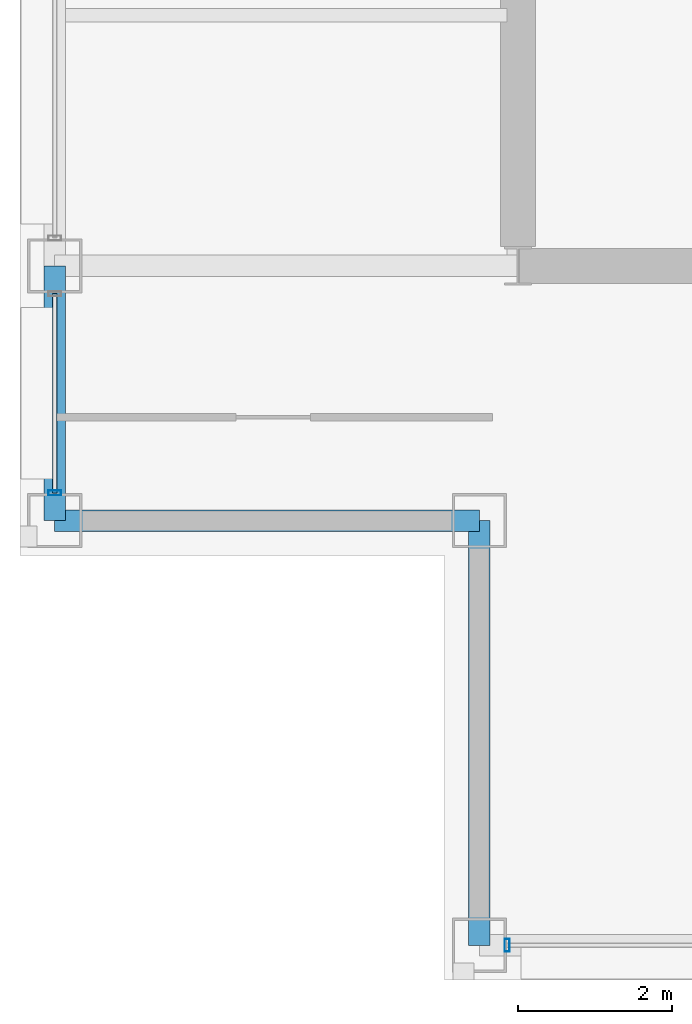
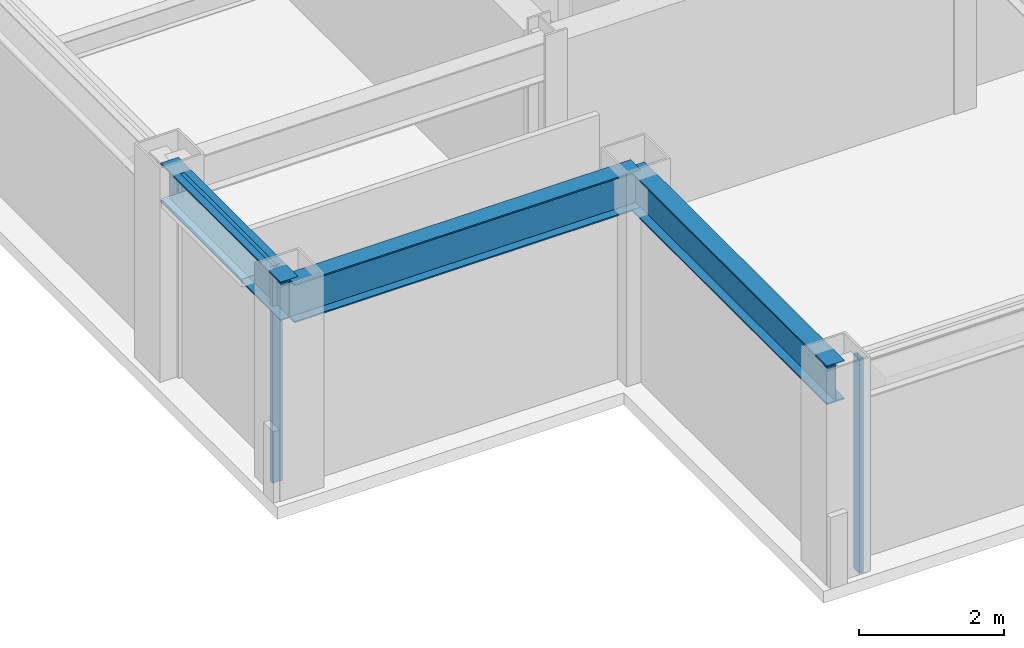
# One storey, part 2 of 29: 3 beams, 3 members, 2 elements without a shape of their own.
"""IFC4 building model written with IfcOpenShell, lengths in metres."""

from ifc_helpers import new_model, si_unit, direction, frame, origin, origin_2d, place, context, subcontext, project, spatial, hollow_rectangle, i_section, extrude, material, layer, layer_set, material_profile, profile_set, type_object, element, aggregate, save


model = new_model("IFC4")

# Units and contexts
model_context = context("Model", 3, precision=1e-05, world=origin(), true_north=direction((0.0, 1.0)))
body_context = subcontext(model_context, "Body", "Model", "MODEL_VIEW")
ifc_project = project(units=[si_unit("LENGTHUNIT", "METRE"), si_unit("AREAUNIT", "SQUARE_METRE"), si_unit("VOLUMEUNIT", "CUBIC_METRE"), si_unit("PLANEANGLEUNIT", "RADIAN"), si_unit("MASSUNIT", "GRAM", prefix="KILO")], contexts=[model_context])

# Site, building, storey
site_placement = place(None, origin())
site = spatial("IfcSite", under=ifc_project, at=site_placement, CompositionType="ELEMENT")
building_placement = place(site_placement, origin())
building = spatial("IfcBuilding", under=site, at=building_placement, Name="Brelmoor Portico Tower", CompositionType="ELEMENT")
storey_placement = place(building_placement, frame((0.0, 0.0, 201.89990234375)))
storey = spatial("IfcBuildingStorey", under=building, at=storey_placement, Name="L53", CompositionType="ELEMENT", Elevation=201.89990234375)

# Beams
ifc_material_1 = material(Name="Steel Q355B", Category="steel")
ifc_material_profile_1 = material_profile(ifc_material_1, i_section(OverallWidth=0.280029296875, OverallDepth=0.64990234375, WebThickness=0.012939453125, FlangeThickness=0.02197265625, at=origin_2d()), Name="HN 650x280x13x22")
ifc_profile_set_1 = profile_set([ifc_material_profile_1], Name="Steel Q355B")
beam_type = type_object("IfcBeamType", Name="BM-SP-650", PredefinedType="SPANDREL", material=ifc_profile_set_1)
beam_1_placement = place(storey_placement, frame((-20.550048828125, -13.050048828125, 3.0751953125), z_axis=(1.0, 0.0, 0.0), x_axis=(0.0, 1.0, 0.0)))
element("IfcBeam", 1, at=beam_1_placement, inside=storey, type_object=beam_type, Name="L53 Perimeter Spandrel Beam SP-04", PredefinedType="SPANDREL", context=body_context, shape_type="SweptSolid", body=[
    extrude(i_section(OverallWidth=0.280029296875, OverallDepth=0.64990234375, WebThickness=0.012939453125, FlangeThickness=0.02197265625, at=origin_2d()), origin(), (0.0, 0.0, 1.0), 5.5),
])
beam_2_placement = place(storey_placement, frame((-20.550048828125, -13.050048828125, 3.0751953125), z_axis=(0.0, 1.0, 0.0), x_axis=(-1.0, 0.0, 0.0)))
element("IfcBeam", 2, at=beam_2_placement, inside=storey, type_object=beam_type, Name="L53 Perimeter Spandrel Beam SP-11", PredefinedType="SPANDREL", context=body_context, shape_type="SweptSolid", body=[
    extrude(i_section(OverallWidth=0.280029296875, OverallDepth=0.64990234375, WebThickness=0.012939453125, FlangeThickness=0.02197265625, at=origin_2d()), origin(), (0.0, 0.0, 1.0), 3.300048828125),
])
beam_3_placement = place(storey_placement, frame((-15.050048828125, -18.550048828125, 3.0751953125), z_axis=(0.0, 1.0, 0.0), x_axis=(-1.0, 0.0, 0.0)))
element("IfcBeam", 3, at=beam_3_placement, inside=storey, type_object=beam_type, Name="L53 Perimeter Spandrel Beam SP-14", PredefinedType="SPANDREL", context=body_context, shape_type="SweptSolid", body=[
    extrude(i_section(OverallWidth=0.280029296875, OverallDepth=0.64990234375, WebThickness=0.012939453125, FlangeThickness=0.02197265625, at=origin_2d()), origin(), (0.0, 0.0, 1.0), 5.5),
])

# Curtain wall, member
ifc_material_2 = material(Name="Anodised Aluminium Alloy 6063-T6", Category="aluminium")
ifc_layer = layer(ifc_material_2, 0.179931640625)
ifc_layer_set = layer_set([ifc_layer], Name="Anodised Aluminium Alloy 6063-T6")
curtain_wall_type = type_object("IfcCurtainWallType", Name="CW-TOWER-Z3-XB", PredefinedType="NOTDEFINED", material=ifc_layer_set)
curtain_wall_1_placement = place(storey_placement, origin())
curtain_wall_1 = element("IfcCurtainWall", 4, at=curtain_wall_1_placement, inside=storey, type_object=curtain_wall_type, Name="L53 Curtain Wall CW-L53-01-1", PredefinedType="NOTDEFINED")
ifc_material_profile_2 = material_profile(ifc_material_2, hollow_rectangle(XDim=0.06494140625, YDim=0.1650390625, WallThickness=0.00390625, at=origin_2d()), Name="ALU MULLION 65x165")
ifc_profile_set_2 = profile_set([ifc_material_profile_2], Name="Anodised Aluminium Alloy 6063-T6")
member_type_1 = type_object("IfcMemberType", Name="MB-CW-MULL-165", PredefinedType="MULLION", material=ifc_profile_set_2)
member_1_placement = place(storey_placement, frame((-14.68994140625, -18.550048828125, -0.199951171875), z_axis=(0.0, 0.0, 1.0), x_axis=(1.0, 0.0, 0.0)))
member_1 = element("IfcMember", 5, at=member_1_placement, type_object=member_type_1, Name="CW-L53-01-1 Mullion 00", PredefinedType="MULLION", context=body_context, shape_type="SweptSolid", body=[
    extrude(hollow_rectangle(XDim=0.06494140625, YDim=0.1650390625, WallThickness=0.00390625, at=origin_2d()), origin(), (0.0, 0.0, 1.0), 3.60009765625),
])
aggregate(curtain_wall_1, [member_1])

# Curtain wall, members
curtain_wall_2_placement = place(storey_placement, origin())
curtain_wall_2 = element("IfcCurtainWall", 6, at=curtain_wall_2_placement, inside=storey, type_object=curtain_wall_type, Name="L53 Curtain Wall CW-L53-03-1", PredefinedType="NOTDEFINED")
member_2_placement = place(storey_placement, frame((-20.550048828125, -12.68994140625, -0.199951171875), z_axis=(0.0, 0.0, 1.0), x_axis=(0.0, 1.0, 0.0)))
member_2 = element("IfcMember", 7, at=member_2_placement, type_object=member_type_1, Name="CW-L53-03-1 Mullion 00", PredefinedType="MULLION", context=body_context, shape_type="SweptSolid", body=[
    extrude(hollow_rectangle(XDim=0.06494140625, YDim=0.1650390625, WallThickness=0.00390625, at=origin_2d()), origin(), (0.0, 0.0, 1.0), 3.60009765625),
])
ifc_material_profile_3 = material_profile(ifc_material_2, hollow_rectangle(XDim=0.06005859375, YDim=0.125, WallThickness=0.00341796875, at=origin_2d()), Name="ALU TRANSOM 60x125")
ifc_profile_set_3 = profile_set([ifc_material_profile_3], Name="Anodised Aluminium Alloy 6063-T6")
member_type_2 = type_object("IfcMemberType", Name="MB-CW-TRAN-125", PredefinedType="USERDEFINED", material=ifc_profile_set_3)
member_3_placement = place(storey_placement, frame((-20.550048828125, -12.68994140625, 3.337646484375), z_axis=(0.0, 1.0, 0.0), x_axis=(-1.0, 0.0, 0.0)))
member_3 = element("IfcMember", 8, at=member_3_placement, type_object=member_type_2, Name="CW-L53-03-1 Transom 1-00", ObjectType="TRANSOM", PredefinedType="USERDEFINED", context=body_context, shape_type="SweptSolid", body=[
    extrude(hollow_rectangle(XDim=0.06005859375, YDim=0.125, WallThickness=0.00341796875, at=origin_2d()), origin(), (0.0, 0.0, 1.0), 2.579833984375),
])
aggregate(curtain_wall_2, [member_2, member_3])

save(model, "model.ifc")
